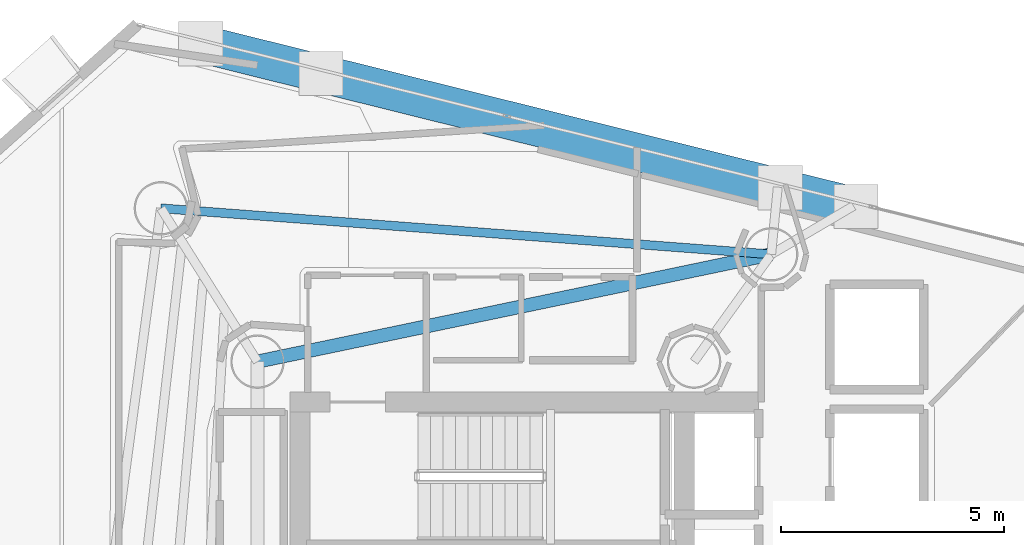
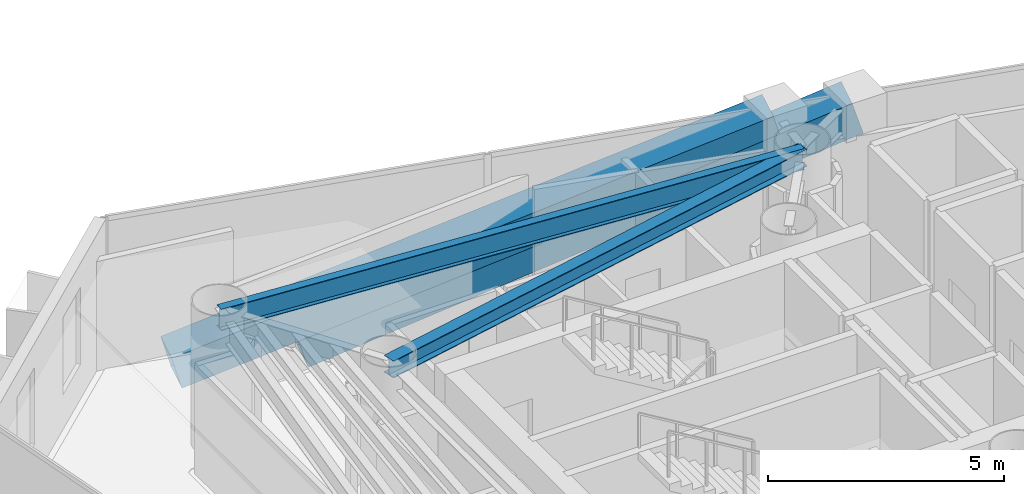
# One storey, part 12 of 23: 2 beams, 2 members.
"""IFC4 building model written with IfcOpenShell, lengths in metres."""

from ifc_helpers import new_model, si_unit, direction, frame, origin, origin_2d, place, context, subcontext, project, spatial, hollow_rectangle, i_section, extrude, material, material_profile, profile_set, type_object, element, save


model = new_model("IFC4")

# Units and contexts
model_context = context("Model", 3, precision=1e-05, world=origin(), true_north=direction((0.0, 1.0)))
body_context = subcontext(model_context, "Body", "Model", "MODEL_VIEW")
ifc_project = project(units=[si_unit("LENGTHUNIT", "METRE"), si_unit("AREAUNIT", "SQUARE_METRE"), si_unit("VOLUMEUNIT", "CUBIC_METRE"), si_unit("PLANEANGLEUNIT", "RADIAN"), si_unit("MASSUNIT", "GRAM", prefix="KILO")], contexts=[model_context])

# Site, building, storey
site_placement = place(None, origin())
site = spatial("IfcSite", under=ifc_project, at=site_placement, CompositionType="ELEMENT")
building_placement = place(site_placement, origin())
building = spatial("IfcBuilding", under=site, at=building_placement, Name="Qianvela Tower", CompositionType="ELEMENT")
storey_placement = place(building_placement, frame((0.0, 0.0, 192.89990234375)))
storey = spatial("IfcBuildingStorey", under=building, at=storey_placement, Name="L49", CompositionType="ELEMENT", Elevation=192.89990234375)

# Beams
ifc_material_1 = material(Name="Steel Q355B", Category="steel")
ifc_material_profile_1 = material_profile(ifc_material_1, i_section(OverallWidth=0.300048828125, OverallDepth=0.43994140625, WebThickness=0.010986328125, FlangeThickness=0.01806640625, at=origin_2d()), Name="HM440x300x11x18")
ifc_profile_set_1 = profile_set([ifc_material_profile_1], Name="Steel Q355B")
beam_type_1 = type_object("IfcBeamType", Name="BM-HM440-COLL", PredefinedType="BEAM", material=ifc_profile_set_1)
beam_1_placement = place(storey_placement, frame((28.60009765625, 33.550048828125, 3.298095703125), z_axis=(0.978884270582, 0.204415226456, 0.0), x_axis=(-0.204415226456, 0.978884270582, 0.0)))
element("IfcBeam", 1, at=beam_1_placement, inside=storey, type_object=beam_type_1, Name="L49 Perimeter Ring Tie Girder 1B", PredefinedType="BEAM", context=body_context, shape_type="SweptSolid", body=[
    extrude(i_section(OverallWidth=0.300048828125, OverallDepth=0.43994140625, WebThickness=0.010986328125, FlangeThickness=0.01806640625, at=origin_2d()), origin(), (0.0, 0.0, 1.0), 11.77978515625),
])
ifc_material_2 = material(Name="Steel Q355B", Category="steel")
ifc_material_profile_2 = material_profile(ifc_material_2, i_section(OverallWidth=0.199951171875, OverallDepth=0.550048828125, WebThickness=0.010009765625, FlangeThickness=0.01611328125, at=origin_2d()), Name="HN550x200x10x16")
ifc_profile_set_2 = profile_set([ifc_material_profile_2], Name="Steel Q355B")
beam_type_2 = type_object("IfcBeamType", Name="BM-HN550-GIRD", PredefinedType="BEAM", material=ifc_profile_set_2)
beam_2_placement = place(storey_placement, frame((40.131103515625, 35.9580078125, 3.2431640625), z_axis=(-0.997164346928, 0.075254669065, 0.0), x_axis=(-0.075254669065, -0.997164346928, 0.0)))
element("IfcBeam", 2, at=beam_2_placement, inside=storey, type_object=beam_type_2, Name="L49 Perimeter Ring Spandrel Girder 2", PredefinedType="BEAM", context=body_context, shape_type="SweptSolid", body=[
    extrude(i_section(OverallWidth=0.199951171875, OverallDepth=0.550048828125, WebThickness=0.010009765625, FlangeThickness=0.01611328125, at=origin_2d()), origin(), (0.0, 0.0, 1.0), 13.7392578125),
])

# Members
ifc_material_3 = material(Name="Steel Q420GJC", Category="steel")
ifc_material_profile_3 = material_profile(ifc_material_3, hollow_rectangle(XDim=0.85009765625, YDim=0.85009765625, WallThickness=0.031982421875, at=origin_2d()), Name="MBOX-850x850x32")
ifc_profile_set_3 = profile_set([ifc_material_profile_3], Name="Steel Q420GJC")
member_type = type_object("IfcMemberType", Name="MBR-MBRACE-850", PredefinedType="BRACE", material=ifc_profile_set_3)
member_1_placement = place(storey_placement, frame((30.080322265625, 40.001708984375, -0.48193359375), z_axis=(0.92911731704, -0.230840152422, 0.288883774563), x_axis=(0.241120524766, 0.970495179038, 0.0)))
element("IfcMember", 3, at=member_1_placement, inside=storey, type_object=member_type, Name="L49 Tier 8 Exterior Mega-Brace F1A", PredefinedType="BRACE", context=body_context, shape_type="SweptSolid", body=[
    extrude(hollow_rectangle(XDim=0.85009765625, YDim=0.85009765625, WallThickness=0.031982421875, at=origin_2d()), origin(), (0.0, 0.0, 1.0), 12.807861328125),
])
member_2_placement = place(storey_placement, frame((27.380859375, 40.67236328125, -0.48193359375), z_axis=(0.934942570451, -0.232284527933, 0.268190768004), x_axis=(0.241117675142, 0.970495887026, 0.0)))
element("IfcMember", 4, at=member_2_placement, inside=storey, type_object=member_type, Name="L49 Tier 8 Exterior Mega-Brace F1B", PredefinedType="BRACE", context=body_context, shape_type="SweptSolid", body=[
    extrude(hollow_rectangle(XDim=0.85009765625, YDim=0.85009765625, WallThickness=0.031982421875, at=origin_2d()), origin(), (0.0, 0.0, 1.0), 13.7958984375),
])

save(model, "model.ifc")
